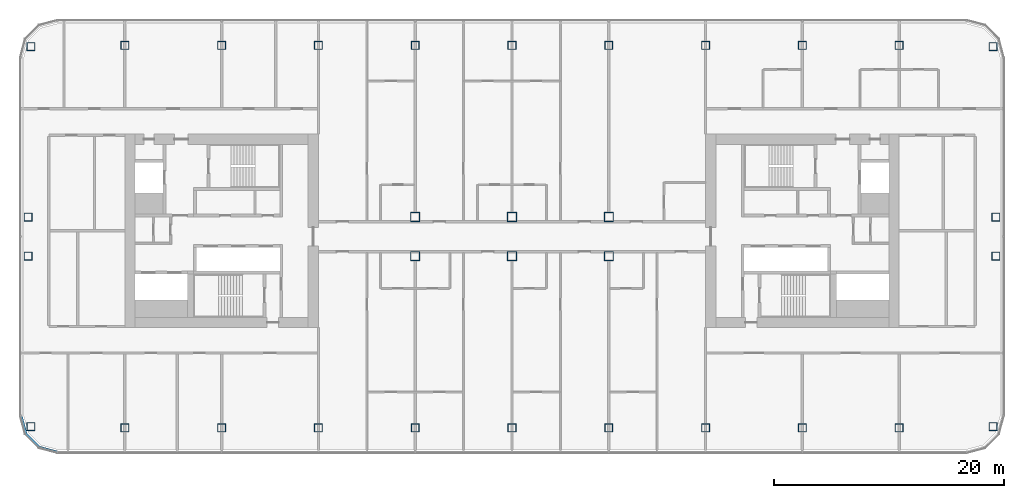
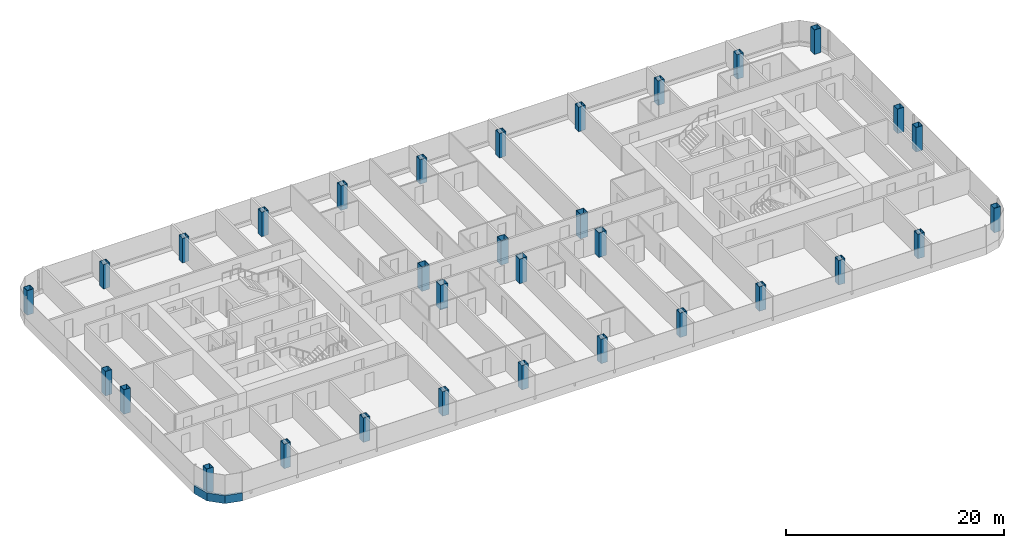
# One storey, part 1 of 26: 32 columns, 1 member, 1 element without a shape of its own.
"""IFC4 building model written with IfcOpenShell, lengths in metres."""

from ifc_helpers import new_model, si_unit, direction, frame, origin, origin_2d, place, context, subcontext, project, spatial, polyline, rectangle, hollow_rectangle, outline, extrude, material, layer, layer_set, material_profile, profile_set, type_object, element, aggregate, save


model = new_model("IFC4")

# Units and contexts
model_context = context("Model", 3, precision=1e-05, world=origin(), true_north=direction((0.0, 1.0)))
body_context = subcontext(model_context, "Body", "Model", "MODEL_VIEW")
ifc_project = project(units=[si_unit("LENGTHUNIT", "METRE"), si_unit("AREAUNIT", "SQUARE_METRE"), si_unit("VOLUMEUNIT", "CUBIC_METRE"), si_unit("PLANEANGLEUNIT", "RADIAN"), si_unit("MASSUNIT", "GRAM", prefix="KILO")], contexts=[model_context])

# Site, building, storey
site_placement = place(None, origin())
site = spatial("IfcSite", under=ifc_project, at=site_placement, CompositionType="ELEMENT")
building_placement = place(site_placement, origin())
building = spatial("IfcBuilding", under=site, at=building_placement, Name="Hakoniwa Tower and Hamabe Station Hall", CompositionType="ELEMENT")
storey_placement = place(building_placement, frame((0.0, 0.0, 159.800048828125)))
storey = spatial("IfcBuildingStorey", under=building, at=storey_placement, Name="L45", CompositionType="ELEMENT", Elevation=159.800048828125)

# Columns
ifc_material_1 = material(Name="Steel SN490C", Category="steel")
ifc_material_profile_1 = material_profile(ifc_material_1, hollow_rectangle(XDim=0.699951171875, YDim=0.699951171875, WallThickness=0.028076171875, at=origin_2d()), Name="BX-700x700x28")
ifc_profile_set_1 = profile_set([ifc_material_profile_1], Name="Steel SN490C")
column_type_1 = type_object("IfcColumnType", Name="COLUMN BX-700x700x28", PredefinedType="COLUMN", material=ifc_profile_set_1)
for number, where, z_axis, x_axis, name in (
    (1, (-41.74853515625, -16.99365234375, 0.0), (0.0, 0.0, 1.0), (1.0, 0.0, 0.0), "Column B3-2-A3"),
    (2, (-42.0, -2.199951171875, 0.0), (0.0, 0.0, 1.0), (1.0, 0.0, 0.0), "Column B3-2-C3"),
    (3, (-42.0, 1.199951171875, 0.0), (0.0, 0.0, 1.0), (1.0, 0.0, 0.0), "Column B3-2-D3"),
    (4, (-41.74853515625, 15.99365234375, 0.0), (0.0, 0.0, 1.0), (1.0, 0.0, 0.0), "Column B3-2-F3"),
    (5, (-33.60009765625, -17.10009765625, 0.0), (0.0, 0.0, 1.0), (1.0, 0.0, 0.0), "Column B3-3-A3"),
    (6, (-33.60009765625, 16.10009765625, 0.0), (0.0, 0.0, 1.0), (1.0, 0.0, 0.0), "Column B3-3-F3"),
    (7, (-25.199951171875, -17.10009765625, 0.0), (0.0, 0.0, 1.0), (1.0, 0.0, 0.0), "Column B3-4-A3"),
    (8, (-25.199951171875, 16.10009765625, 0.0), (0.0, 0.0, 1.0), (1.0, 0.0, 0.0), "Column B3-4-F3"),
    (9, (-16.800048828125, -17.10009765625, 0.0), (0.0, 0.0, 1.0), (1.0, 0.0, 0.0), "Column B3-5-A3"),
    (10, (-16.800048828125, 16.10009765625, 0.0), (0.0, 0.0, 1.0), (1.0, 0.0, 0.0), "Column B3-5-F3"),
    (11, (-8.39990234375, -17.10009765625, 0.0), (0.0, 0.0, 1.0), (1.0, 0.0, 0.0), "Column B3-6-A3"),
    (12, (-8.39990234375, 16.10009765625, 0.0), (0.0, 0.0, 1.0), (1.0, 0.0, 0.0), "Column B3-6-F3"),
    (13, (0.0, -17.10009765625, 0.0), (0.0, 0.0, 1.0), (1.0, 0.0, 0.0), "Column B3-7-A3"),
    (14, (0.0, 16.10009765625, 0.0), (0.0, 0.0, 1.0), (1.0, 0.0, 0.0), "Column B3-7-F3"),
    (15, (8.39990234375, -17.10009765625, 0.0), (0.0, 0.0, 1.0), (1.0, 0.0, 0.0), "Column B3-8-A3"),
    (16, (8.39990234375, 16.10009765625, 0.0), (0.0, 0.0, 1.0), (1.0, 0.0, 0.0), "Column B3-8-F3"),
    (17, (16.800048828125, -17.10009765625, 0.0), (0.0, 0.0, 1.0), (1.0, 0.0, 0.0), "Column B3-9-A3"),
    (18, (16.800048828125, 16.10009765625, 0.0), (0.0, 0.0, 1.0), (1.0, 0.0, 0.0), "Column B3-9-F3"),
    (19, (25.199951171875, -17.10009765625, 0.0), (0.0, 0.0, 1.0), (1.0, 0.0, 0.0), "Column B3-10-A3"),
    (20, (25.199951171875, 16.10009765625, 0.0), (0.0, 0.0, 1.0), (1.0, 0.0, 0.0), "Column B3-10-F3"),
    (21, (33.60009765625, -17.10009765625, 0.0), (0.0, 0.0, 1.0), (1.0, 0.0, 0.0), "Column B3-11-A3"),
    (22, (33.60009765625, 16.10009765625, 0.0), (0.0, 0.0, 1.0), (1.0, 0.0, 0.0), "Column B3-11-F3"),
    (23, (41.74853515625, -16.99365234375, 0.0), (0.0, 0.0, 1.0), (1.0, 0.0, 0.0), "Column B3-12-A3"),
    (24, (42.0, -2.199951171875, 0.0), (0.0, 0.0, 1.0), (1.0, 0.0, 0.0), "Column B3-12-C3"),
    (25, (42.0, 1.199951171875, 0.0), (0.0, 0.0, 1.0), (1.0, 0.0, 0.0), "Column B3-12-D3"),
    (26, (41.74853515625, 15.99365234375, 0.0), (0.0, 0.0, 1.0), (1.0, 0.0, 0.0), "Column B3-12-F3"),
):
    element("IfcColumn", number, at=place(storey_placement, frame(where, z_axis=z_axis, x_axis=x_axis)), inside=storey, type_object=column_type_1, Name=name, PredefinedType="COLUMN", context=body_context, shape_type="SweptSolid", body=[
        extrude(hollow_rectangle(XDim=0.699951171875, YDim=0.699951171875, WallThickness=0.028076171875, at=origin_2d()), origin(), (0.0, 0.0, 1.0), 2.75),
    ])
ifc_material_2 = material(Name="Steel SN490C", Category="steel")
ifc_material_profile_2 = material_profile(ifc_material_2, hollow_rectangle(XDim=0.800048828125, YDim=0.800048828125, WallThickness=0.031982421875, at=origin_2d()), Name="BX-800x800x32")
ifc_profile_set_2 = profile_set([ifc_material_profile_2], Name="Steel SN490C")
column_type_2 = type_object("IfcColumnType", Name="COLUMN BX-800x800x32", PredefinedType="COLUMN", material=ifc_profile_set_2)
for number, where, z_axis, x_axis, name in (
    (27, (-8.39990234375, -2.199951171875, 0.0), (0.0, 0.0, 1.0), (1.0, 0.0, 0.0), "Column B3-6-C3"),
    (28, (-8.39990234375, 1.199951171875, 0.0), (0.0, 0.0, 1.0), (1.0, 0.0, 0.0), "Column B3-6-D3"),
    (29, (0.0, -2.199951171875, 0.0), (0.0, 0.0, 1.0), (1.0, 0.0, 0.0), "Column B3-7-C3"),
    (30, (0.0, 1.199951171875, 0.0), (0.0, 0.0, 1.0), (1.0, 0.0, 0.0), "Column B3-7-D3"),
    (31, (8.39990234375, -2.199951171875, 0.0), (0.0, 0.0, 1.0), (1.0, 0.0, 0.0), "Column B3-8-C3"),
    (32, (8.39990234375, 1.199951171875, 0.0), (0.0, 0.0, 1.0), (1.0, 0.0, 0.0), "Column B3-8-D3"),
):
    element("IfcColumn", number, at=place(storey_placement, frame(where, z_axis=z_axis, x_axis=x_axis)), inside=storey, type_object=column_type_2, Name=name, PredefinedType="COLUMN", context=body_context, shape_type="SweptSolid", body=[
        extrude(hollow_rectangle(XDim=0.800048828125, YDim=0.800048828125, WallThickness=0.031982421875, at=origin_2d()), origin(), (0.0, 0.0, 1.0), 2.75),
    ])

# Curtain wall, member
ifc_material_3 = material(Name="Dark low-e laminated glass", Category="glass")
ifc_layer = layer(ifc_material_3, 0.199951171875)
ifc_layer_set = layer_set([ifc_layer], Name="CW-1 UNITISED GUEST")
curtain_wall_type = type_object("IfcCurtainWallType", Name="CW-1 UNITISED GUEST", PredefinedType="NOTDEFINED", material=ifc_layer_set)
curtain_wall_placement = place(storey_placement, origin())
curtain_wall = element("IfcCurtainWall", 33, at=curtain_wall_placement, inside=storey, type_object=curtain_wall_type, Name="CW-1 curtain wall", PredefinedType="NOTDEFINED")
ifc_material_4 = material(Name="Aluminium 6063-T5 black anodised", Category="aluminium")
ifc_material_profile_3 = material_profile(ifc_material_4, rectangle(XDim=0.199951171875, YDim=0.89990234375, at=origin_2d()), Name="CW SLAB-EDGE BAND 900X200")
ifc_profile_set_3 = profile_set([ifc_material_profile_3], Name="Aluminium 6063-T5 black anodised")
member_type = type_object("IfcMemberType", Name="CW SLAB-EDGE BAND 900X200", PredefinedType="USERDEFINED", material=ifc_profile_set_3)
member_placement = place(storey_placement, frame((0.0, 0.0, -0.550048828125)))
member = element("IfcMember", 34, at=member_placement, type_object=member_type, Name="CW-1 transom", ObjectType="TRANSOM", PredefinedType="USERDEFINED", context=body_context, shape_type="SweptSolid", body=[
    extrude(outline(polyline([(-42.699951171875, -16.03955078125), (-42.26708984375, -17.6552734375), (-41.05517578125, -18.866943359375), (-39.439453125, -19.300048828125), (-39.3876953125, -19.10693359375), (-40.95166015625, -18.687744140625), (-42.087646484375, -17.5517578125), (-42.5068359375, -15.98779296875), (-42.699951171875, -16.03955078125)])), origin(), (0.0, 0.0, 1.0), 0.89990234375),
])
aggregate(curtain_wall, [member])

save(model, "model.ifc")
